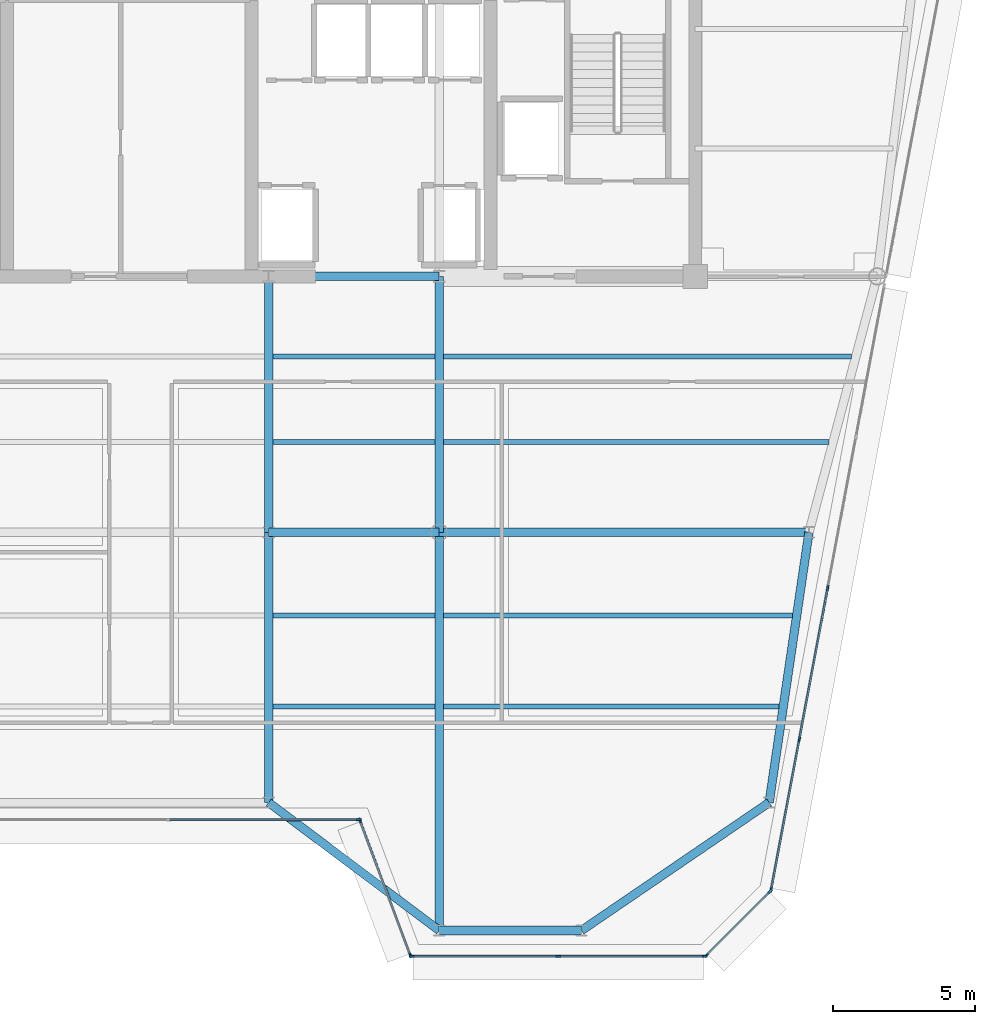
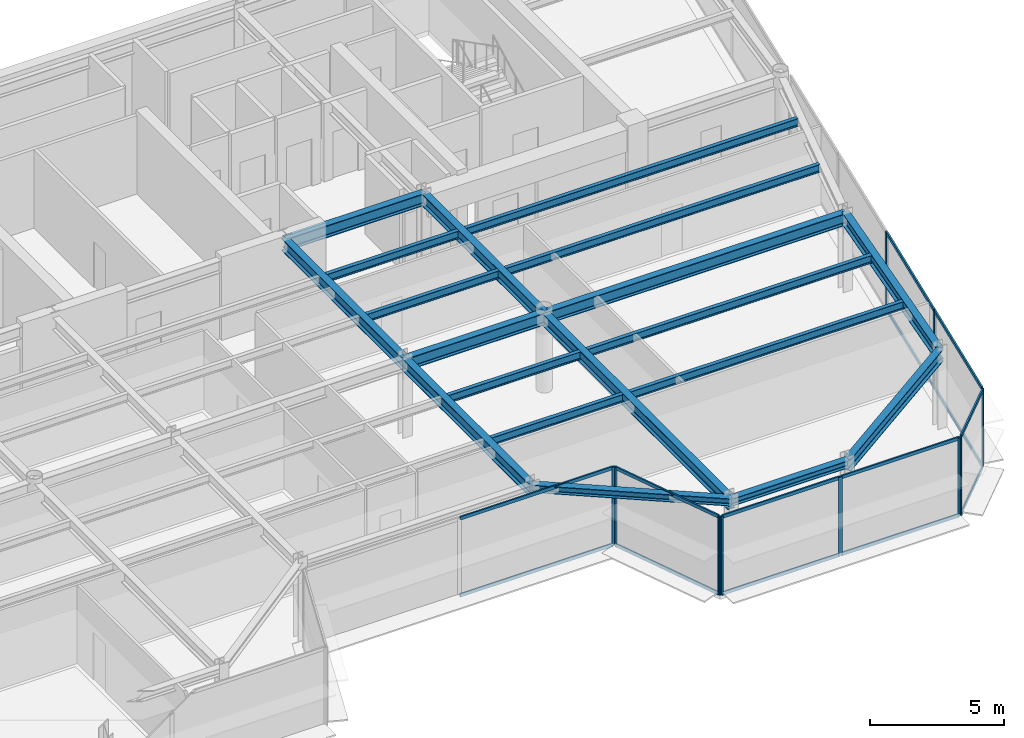
# One storey, part 6 of 19: 25 members, 19 beams, 5 elements without a shape of their own.
"""IFC4 building model written with IfcOpenShell, lengths in metres."""

from ifc_helpers import new_model, si_unit, direction, frame, origin, origin_2d, place, context, subcontext, project, spatial, rectangle, i_section, extrude, source, transform, mapped, material, layer, layer_set, material_profile, profile_set, type_object, element, aggregate, save


model = new_model("IFC4")

# Units and contexts
model_context = context("Model", 3, precision=1e-05, world=origin(), true_north=direction((0.0, 1.0)))
body_context = subcontext(model_context, "Body", "Model", "MODEL_VIEW")
ifc_project = project(units=[si_unit("LENGTHUNIT", "METRE"), si_unit("AREAUNIT", "SQUARE_METRE"), si_unit("VOLUMEUNIT", "CUBIC_METRE"), si_unit("PLANEANGLEUNIT", "RADIAN"), si_unit("MASSUNIT", "GRAM", prefix="KILO")], contexts=[model_context])

# Site, building, storey
site_placement = place(None, origin())
site = spatial("IfcSite", under=ifc_project, at=site_placement, CompositionType="ELEMENT")
building_placement = place(site_placement, origin())
building = spatial("IfcBuilding", under=site, at=building_placement, Name="Vaeldorn Concourse Tower", CompositionType="ELEMENT")
storey_placement = place(building_placement, frame((0.0, 0.0, 272.60009765625)))
storey = spatial("IfcBuildingStorey", under=building, at=storey_placement, Name="L70", CompositionType="ELEMENT", Elevation=272.60009765625)

# Beams
ifc_material_1 = material(Name="Steel S355", Category="steel")
ifc_material_profile_1 = material_profile(ifc_material_1, i_section(OverallWidth=0.300048828125, OverallDepth=0.550048828125, WebThickness=0.014892578125, FlangeThickness=0.029052734375, FilletRadius=0.027099609375, at=origin_2d()), Name="HEB 550")
ifc_profile_set_1 = profile_set([ifc_material_profile_1], Name="Steel S355")
beam_type_1 = type_object("IfcBeamType", Name="BM-PG-HEB550", PredefinedType="BEAM", material=ifc_profile_set_1)
shared_shape_1 = source(origin(), body_context, "Body", "SweptSolid", [
    extrude(i_section(OverallWidth=0.300048828125, OverallDepth=0.550048828125, WebThickness=0.014892578125, FlangeThickness=0.029052734375, FilletRadius=0.027099609375, at=origin_2d()), origin(), (0.0, 0.0, 1.0), 6.0),
])
for number, where, z_axis, x_axis, name in (
    (1, (39.0, 36.5, 3.304931640625), (1.0, 0.0, 0.0), (0.0, 1.0, 0.0), "Beam BM-L70-C-FC4-C-FC5"),
    (2, (39.0, 27.5, 3.304931640625), (1.0, 0.0, 0.0), (0.0, 1.0, 0.0), "Beam BM-L70-C-TW3-C-TW4"),
):
    element("IfcBeam", number, at=place(storey_placement, frame(where, z_axis=z_axis, x_axis=x_axis)), inside=storey, type_object=beam_type_1, Name=name, PredefinedType="BEAM", context=body_context, shape_type="MappedRepresentation", body=[
        mapped(shared_shape_1, transform((0.0, 0.0, 0.0), scale=1.0)),
    ])
shared_shape_2 = source(origin(), body_context, "Body", "SweptSolid", [
    extrude(i_section(OverallWidth=0.300048828125, OverallDepth=0.550048828125, WebThickness=0.014892578125, FlangeThickness=0.029052734375, FilletRadius=0.027099609375, at=origin_2d()), origin(), (0.0, 0.0, 1.0), 9.0),
])
for number, where, z_axis, x_axis, name in (
    (3, (39.0, 27.5, 3.304931640625), (0.0, 1.0, 0.0), (-1.0, 0.0, 0.0), "Beam BM-L70-C-TW3-C-FC4"),
    (4, (45.0, 27.5, 3.304931640625), (0.0, 1.0, 0.0), (-1.0, 0.0, 0.0), "Beam BM-L70-C-TW4-C-FC5"),
):
    element("IfcBeam", number, at=place(storey_placement, frame(where, z_axis=z_axis, x_axis=x_axis)), inside=storey, type_object=beam_type_1, Name=name, PredefinedType="BEAM", context=body_context, shape_type="MappedRepresentation", body=[
        mapped(shared_shape_2, transform((0.0, 0.0, 0.0), scale=1.0)),
    ])
shared_shape_3 = source(origin(), body_context, "Body", "SweptSolid", [
    extrude(i_section(OverallWidth=0.300048828125, OverallDepth=0.550048828125, WebThickness=0.014892578125, FlangeThickness=0.029052734375, FilletRadius=0.027099609375, at=origin_2d()), origin(), (0.0, 0.0, 1.0), 14.0),
])
beam_1_placement = place(storey_placement, frame((45.0, 13.5, 3.304931640625), z_axis=(0.0, 1.0, 0.0), x_axis=(-1.0, 0.0, 0.0)))
element("IfcBeam", 5, at=beam_1_placement, inside=storey, type_object=beam_type_1, Name="Beam BM-L70-C-SF5-C-TW4", PredefinedType="BEAM", context=body_context, shape_type="MappedRepresentation", body=[
    mapped(shared_shape_3, transform((0.0, 0.0, 0.0), scale=1.0)),
])
shared_shape_4 = source(origin(), body_context, "Body", "SweptSolid", [
    extrude(i_section(OverallWidth=0.300048828125, OverallDepth=0.550048828125, WebThickness=0.014892578125, FlangeThickness=0.029052734375, FilletRadius=0.027099609375, at=origin_2d()), origin(), (0.0, 0.0, 1.0), 13.0),
])
beam_2_placement = place(storey_placement, frame((45.0, 27.5, 3.304931640625), z_axis=(1.0, 0.0, 0.0), x_axis=(0.0, 1.0, 0.0)))
element("IfcBeam", 6, at=beam_2_placement, inside=storey, type_object=beam_type_1, Name="Beam BM-L70-C-TW4-C-FLE1", PredefinedType="BEAM", context=body_context, shape_type="MappedRepresentation", body=[
    mapped(shared_shape_4, transform((0.0, 0.0, 0.0), scale=1.0)),
])
shared_shape_5 = source(origin(), body_context, "Body", "SweptSolid", [
    extrude(i_section(OverallWidth=0.300048828125, OverallDepth=0.550048828125, WebThickness=0.014892578125, FlangeThickness=0.029052734375, FilletRadius=0.027099609375, at=origin_2d()), origin(), (0.0, 0.0, 1.0), 9.6025390625),
])
beam_3_placement = place(storey_placement, frame((58.0, 27.5, 3.304931640625), z_axis=(-0.145783835977, -0.989316467652, 0.0), x_axis=(0.989316467652, -0.145783835977, 0.0)))
element("IfcBeam", 7, at=beam_3_placement, inside=storey, type_object=beam_type_1, Name="Beam BM-L70-C-FLE1-C-FLE2", PredefinedType="BEAM", context=body_context, shape_type="MappedRepresentation", body=[
    mapped(shared_shape_5, transform((0.0, 0.0, 0.0), scale=1.0)),
])
shared_shape_6 = source(origin(), body_context, "Body", "SweptSolid", [
    extrude(i_section(OverallWidth=0.300048828125, OverallDepth=0.550048828125, WebThickness=0.014892578125, FlangeThickness=0.029052734375, FilletRadius=0.027099609375, at=origin_2d()), origin(), (0.0, 0.0, 1.0), 9.5),
])
beam_4_placement = place(storey_placement, frame((39.0, 18.0, 3.304931640625), z_axis=(0.0, 1.0, 0.0), x_axis=(-1.0, 0.0, 0.0)))
element("IfcBeam", 8, at=beam_4_placement, inside=storey, type_object=beam_type_1, Name="Beam BM-L70-C-SF4-C-TW3", PredefinedType="BEAM", context=body_context, shape_type="MappedRepresentation", body=[
    mapped(shared_shape_6, transform((0.0, 0.0, 0.0), scale=1.0)),
])
shared_shape_7 = source(origin(), body_context, "Body", "SweptSolid", [
    extrude(i_section(OverallWidth=0.300048828125, OverallDepth=0.550048828125, WebThickness=0.014892578125, FlangeThickness=0.029052734375, FilletRadius=0.027099609375, at=origin_2d()), origin(), (0.0, 0.0, 1.0), 7.98828125),
])
beam_5_placement = place(storey_placement, frame((50.0, 13.5, 3.304931640625), z_axis=(0.826231222393, 0.56333113454, 0.0), x_axis=(-0.56333113454, 0.826231222393, 0.0)))
element("IfcBeam", 9, at=beam_5_placement, inside=storey, type_object=beam_type_1, Name="Beam BM-L70-C-SF6-C-FLE2", PredefinedType="BEAM", context=body_context, shape_type="MappedRepresentation", body=[
    mapped(shared_shape_7, transform((0.0, 0.0, 0.0), scale=1.0)),
])
ifc_material_profile_2 = material_profile(ifc_material_1, i_section(OverallWidth=0.169921875, OverallDepth=0.360107421875, WebThickness=0.008056640625, FlangeThickness=0.0126953125, FilletRadius=0.01806640625, at=origin_2d()), Name="IPE 360")
ifc_profile_set_2 = profile_set([ifc_material_profile_2], Name="Steel S355")
beam_type_2 = type_object("IfcBeamType", Name="BM-JS-IPE360", PredefinedType="JOIST", material=ifc_profile_set_2)
shared_shape_8 = source(origin(), body_context, "Body", "SweptSolid", [
    extrude(i_section(OverallWidth=0.169921875, OverallDepth=0.360107421875, WebThickness=0.008056640625, FlangeThickness=0.0126953125, FilletRadius=0.01806640625, at=origin_2d()), origin(), (0.0, 0.0, 1.0), 5.7001953125),
])
for number, where, z_axis, x_axis, name in (
    (10, (39.14990234375, 21.3798828125, 3.39990234375), (1.0, 0.0, 0.0), (0.0, 1.0, 0.0), "Beam JS-L70-E2-213"),
    (11, (39.14990234375, 24.580078125, 3.39990234375), (1.0, 0.0, 0.0), (0.0, 1.0, 0.0), "Beam JS-L70-E2-245"),
    (12, (39.14990234375, 30.679931640625, 3.39990234375), (1.0, 0.0, 0.0), (0.0, 1.0, 0.0), "Beam JS-L70-E2-306"),
    (13, (39.14990234375, 33.679931640625, 3.39990234375), (1.0, 0.0, 0.0), (0.0, 1.0, 0.0), "Beam JS-L70-E2-336"),
):
    element("IfcBeam", number, at=place(storey_placement, frame(where, z_axis=z_axis, x_axis=x_axis)), inside=storey, type_object=beam_type_2, Name=name, PredefinedType="JOIST", context=body_context, shape_type="MappedRepresentation", body=[
        mapped(shared_shape_8, transform((0.0, 0.0, 0.0), scale=1.0)),
    ])
ifc_material_profile_3 = material_profile(ifc_material_1, i_section(OverallWidth=0.300048828125, OverallDepth=0.340087890625, WebThickness=0.011962890625, FlangeThickness=0.021484375, FilletRadius=0.027099609375, at=origin_2d()), Name="HEB 340")
ifc_profile_set_3 = profile_set([ifc_material_profile_3], Name="Steel S355")
beam_type_3 = type_object("IfcBeamType", Name="BM-SP-HEB340", PredefinedType="SPANDREL", material=ifc_profile_set_3)
shared_shape_9 = source(origin(), body_context, "Body", "SweptSolid", [
    extrude(i_section(OverallWidth=0.300048828125, OverallDepth=0.340087890625, WebThickness=0.011962890625, FlangeThickness=0.021484375, FilletRadius=0.027099609375, at=origin_2d()), origin(), (0.0, 0.0, 1.0), 5.0),
])
beam_6_placement = place(storey_placement, frame((45.0, 13.5, 3.409912109375), z_axis=(1.0, 0.0, 0.0), x_axis=(0.0, 1.0, 0.0)))
element("IfcBeam", 14, at=beam_6_placement, inside=storey, type_object=beam_type_3, Name="Beam BM-L70-C-SF5-C-SF6", PredefinedType="SPANDREL", context=body_context, shape_type="MappedRepresentation", body=[
    mapped(shared_shape_9, transform((0.0, 0.0, 0.0), scale=1.0)),
])
shared_shape_10 = source(origin(), body_context, "Body", "SweptSolid", [
    extrude(i_section(OverallWidth=0.300048828125, OverallDepth=0.340087890625, WebThickness=0.011962890625, FlangeThickness=0.021484375, FilletRadius=0.027099609375, at=origin_2d()), origin(), (0.0, 0.0, 1.0), 7.5),
])
beam_7_placement = place(storey_placement, frame((39.0, 18.0, 3.409912109375), z_axis=(0.8, -0.6, 0.0), x_axis=(0.6, 0.8, 0.0)))
element("IfcBeam", 15, at=beam_7_placement, inside=storey, type_object=beam_type_3, Name="Beam BM-L70-C-SF4-C-SF5", PredefinedType="SPANDREL", context=body_context, shape_type="MappedRepresentation", body=[
    mapped(shared_shape_10, transform((0.0, 0.0, 0.0), scale=1.0)),
])
shared_shape_11 = source(origin(), body_context, "Body", "SweptSolid", [
    extrude(i_section(OverallWidth=0.169921875, OverallDepth=0.360107421875, WebThickness=0.008056640625, FlangeThickness=0.0126953125, FilletRadius=0.01806640625, at=origin_2d()), origin(), (0.0, 0.0, 1.0), 11.798095703125),
])
beam_8_placement = place(storey_placement, frame((45.14990234375, 21.3798828125, 3.39990234375), z_axis=(1.0, 0.0, 0.0), x_axis=(0.0, 1.0, 0.0)))
element("IfcBeam", 16, at=beam_8_placement, inside=storey, type_object=beam_type_2, Name="Beam JS-L70-E1-213", PredefinedType="JOIST", context=body_context, shape_type="MappedRepresentation", body=[
    mapped(shared_shape_11, transform((0.0, 0.0, 0.0), scale=1.0)),
])
shared_shape_12 = source(origin(), body_context, "Body", "SweptSolid", [
    extrude(i_section(OverallWidth=0.169921875, OverallDepth=0.360107421875, WebThickness=0.008056640625, FlangeThickness=0.0126953125, FilletRadius=0.01806640625, at=origin_2d()), origin(), (0.0, 0.0, 1.0), 12.269775390625),
])
beam_9_placement = place(storey_placement, frame((45.14990234375, 24.580078125, 3.39990234375), z_axis=(1.0, 0.0, 0.0), x_axis=(0.0, 1.0, 0.0)))
element("IfcBeam", 17, at=beam_9_placement, inside=storey, type_object=beam_type_2, Name="Beam JS-L70-E1-245", PredefinedType="JOIST", context=body_context, shape_type="MappedRepresentation", body=[
    mapped(shared_shape_12, transform((0.0, 0.0, 0.0), scale=1.0)),
])
shared_shape_13 = source(origin(), body_context, "Body", "SweptSolid", [
    extrude(i_section(OverallWidth=0.169921875, OverallDepth=0.360107421875, WebThickness=0.008056640625, FlangeThickness=0.0126953125, FilletRadius=0.01806640625, at=origin_2d()), origin(), (0.0, 0.0, 1.0), 13.548095703125),
])
beam_10_placement = place(storey_placement, frame((45.14990234375, 30.679931640625, 3.39990234375), z_axis=(1.0, 0.0, 0.0), x_axis=(0.0, 1.0, 0.0)))
element("IfcBeam", 18, at=beam_10_placement, inside=storey, type_object=beam_type_2, Name="Beam JS-L70-E1-306", PredefinedType="JOIST", context=body_context, shape_type="MappedRepresentation", body=[
    mapped(shared_shape_13, transform((0.0, 0.0, 0.0), scale=1.0)),
])
shared_shape_14 = source(origin(), body_context, "Body", "SweptSolid", [
    extrude(i_section(OverallWidth=0.169921875, OverallDepth=0.360107421875, WebThickness=0.008056640625, FlangeThickness=0.0126953125, FilletRadius=0.01806640625, at=origin_2d()), origin(), (0.0, 0.0, 1.0), 14.34814453125),
])
beam_11_placement = place(storey_placement, frame((45.14990234375, 33.679931640625, 3.39990234375), z_axis=(1.0, 0.0, 0.0), x_axis=(0.0, 1.0, 0.0)))
element("IfcBeam", 19, at=beam_11_placement, inside=storey, type_object=beam_type_2, Name="Beam JS-L70-E1-336", PredefinedType="JOIST", context=body_context, shape_type="MappedRepresentation", body=[
    mapped(shared_shape_14, transform((0.0, 0.0, 0.0), scale=1.0)),
])

# Curtain wall, member
ifc_material_2 = material(Name="Anodised Bronze Aluminium", Category="aluminium")
ifc_layer = layer(ifc_material_2, 0.179931640625)
ifc_layer_set = layer_set([ifc_layer], Name="Anodised Bronze Aluminium")
curtain_wall_type = type_object("IfcCurtainWallType", Name="CW-SYS-05", PredefinedType="NOTDEFINED", material=ifc_layer_set)
curtain_wall_1_placement = place(storey_placement, origin())
curtain_wall_1 = element("IfcCurtainWall", 20, at=curtain_wall_1_placement, inside=storey, type_object=curtain_wall_type, Name="Unitised Curtain Wall CW-L70-E03-1", PredefinedType="NOTDEFINED")
ifc_material_profile_4 = material_profile(ifc_material_2, rectangle(XDim=0.06494140625, YDim=0.169921875, at=origin_2d()), Name="CWM 65x170")
ifc_profile_set_4 = profile_set([ifc_material_profile_4], Name="Anodised Bronze Aluminium")
member_type_1 = type_object("IfcMemberType", Name="CWM-BRONZE-170", PredefinedType="MULLION", material=ifc_profile_set_4)
shared_shape_15 = source(origin(), body_context, "Body", "SweptSolid", [
    extrude(rectangle(XDim=0.06494140625, YDim=0.169921875, at=origin_2d()), origin(), (0.0, 0.0, 1.0), 3.579833984375),
])
member_1_placement = place(storey_placement, frame((42.16748046875, 17.39990234375, 0.0), z_axis=(0.0, 0.0, 1.0), x_axis=(0.0, 1.0, 0.0)))
member_1 = element("IfcMember", 21, at=member_1_placement, type_object=member_type_1, Name="CW-05 mullion 3", PredefinedType="MULLION", context=body_context, shape_type="MappedRepresentation", body=[
    mapped(shared_shape_15, transform((0.0, 0.0, 0.0), scale=1.0)),
])

# Curtain wall, members
curtain_wall_2_placement = place(storey_placement, origin())
curtain_wall_2 = element("IfcCurtainWall", 22, at=curtain_wall_2_placement, inside=storey, type_object=curtain_wall_type, Name="Unitised Curtain Wall CW-L70-E04-1", PredefinedType="NOTDEFINED")
member_2_placement = place(storey_placement, frame((42.21142578125, 17.36962890625, 0.0), z_axis=(0.0, 0.0, 1.0), x_axis=(0.936329177566, 0.351123441595, 0.0)))
member_2 = element("IfcMember", 23, at=member_2_placement, type_object=member_type_1, Name="CW-05 mullion 1", PredefinedType="MULLION", context=body_context, shape_type="MappedRepresentation", body=[
    mapped(shared_shape_15, transform((0.0, 0.0, 0.0), scale=1.0)),
])
member_3_placement = place(storey_placement, frame((43.988525390625, 12.63037109375, 0.0), z_axis=(0.0, 0.0, 1.0), x_axis=(0.936329177566, 0.351123441595, 0.0)))
member_3 = element("IfcMember", 24, at=member_3_placement, type_object=member_type_1, Name="CW-05 mullion 2", PredefinedType="MULLION", context=body_context, shape_type="MappedRepresentation", body=[
    mapped(shared_shape_15, transform((0.0, 0.0, 0.0), scale=1.0)),
])

curtain_wall_3_placement = place(storey_placement, origin())
curtain_wall_3 = element("IfcCurtainWall", 25, at=curtain_wall_3_placement, inside=storey, type_object=curtain_wall_type, Name="Unitised Curtain Wall CW-L70-E05-1", PredefinedType="NOTDEFINED")
member_4_placement = place(storey_placement, frame((44.032470703125, 12.60009765625, 0.0), z_axis=(0.0, 0.0, 1.0), x_axis=(0.0, 1.0, 0.0)))
member_4 = element("IfcMember", 26, at=member_4_placement, type_object=member_type_1, Name="CW-05 mullion 1", PredefinedType="MULLION", context=body_context, shape_type="MappedRepresentation", body=[
    mapped(shared_shape_15, transform((0.0, 0.0, 0.0), scale=1.0)),
])
member_5_placement = place(storey_placement, frame((49.181884765625, 12.60009765625, 0.0), z_axis=(0.0, 0.0, 1.0), x_axis=(0.0, 1.0, 0.0)))
member_5 = element("IfcMember", 27, at=member_5_placement, type_object=member_type_1, Name="CW-05 mullion 2", PredefinedType="MULLION", context=body_context, shape_type="MappedRepresentation", body=[
    mapped(shared_shape_15, transform((0.0, 0.0, 0.0), scale=1.0)),
])
member_6_placement = place(storey_placement, frame((54.33154296875, 12.60009765625, 0.0), z_axis=(0.0, 0.0, 1.0), x_axis=(0.0, 1.0, 0.0)))
member_6 = element("IfcMember", 28, at=member_6_placement, type_object=member_type_1, Name="CW-05 mullion 3", PredefinedType="MULLION", context=body_context, shape_type="MappedRepresentation", body=[
    mapped(shared_shape_15, transform((0.0, 0.0, 0.0), scale=1.0)),
])

curtain_wall_4_placement = place(storey_placement, origin())
curtain_wall_4 = element("IfcCurtainWall", 29, at=curtain_wall_4_placement, inside=storey, type_object=curtain_wall_type, Name="Unitised Curtain Wall CW-L70-E06-1", PredefinedType="NOTDEFINED")
member_7_placement = place(storey_placement, frame((54.386962890625, 12.623046875, 0.0), z_axis=(0.0, 0.0, 1.0), x_axis=(-0.707106781187, 0.707106781187, 0.0)))
member_7 = element("IfcMember", 30, at=member_7_placement, type_object=member_type_1, Name="CW-05 mullion 1", PredefinedType="MULLION", context=body_context, shape_type="MappedRepresentation", body=[
    mapped(shared_shape_15, transform((0.0, 0.0, 0.0), scale=1.0)),
])
member_8_placement = place(storey_placement, frame((56.64111328125, 14.876953125, 0.0), z_axis=(0.0, 0.0, 1.0), x_axis=(-0.707106781187, 0.707106781187, 0.0)))
member_8 = element("IfcMember", 31, at=member_8_placement, type_object=member_type_1, Name="CW-05 mullion 2", PredefinedType="MULLION", context=body_context, shape_type="MappedRepresentation", body=[
    mapped(shared_shape_15, transform((0.0, 0.0, 0.0), scale=1.0)),
])

curtain_wall_5_placement = place(storey_placement, origin())
curtain_wall_5 = element("IfcCurtainWall", 32, at=curtain_wall_5_placement, inside=storey, type_object=curtain_wall_type, Name="Unitised Curtain Wall CW-L70-E07-1", PredefinedType="NOTDEFINED")
member_9_placement = place(storey_placement, frame((56.669921875, 14.931884765625, 0.0), z_axis=(0.0, 0.0, 1.0), x_axis=(-0.982880027444, 0.184246714088, 0.0)))
member_9 = element("IfcMember", 33, at=member_9_placement, type_object=member_type_1, Name="CW-05 mullion 1", PredefinedType="MULLION", context=body_context, shape_type="MappedRepresentation", body=[
    mapped(shared_shape_15, transform((0.0, 0.0, 0.0), scale=1.0)),
])
member_10_placement = place(storey_placement, frame((57.66162109375, 20.22119140625, 0.0), z_axis=(0.0, 0.0, 1.0), x_axis=(-0.982880027444, 0.184246714088, 0.0)))
member_10 = element("IfcMember", 34, at=member_10_placement, type_object=member_type_1, Name="CW-05 mullion 2", PredefinedType="MULLION", context=body_context, shape_type="MappedRepresentation", body=[
    mapped(shared_shape_15, transform((0.0, 0.0, 0.0), scale=1.0)),
])
member_11_placement = place(storey_placement, frame((58.658935546875, 25.54248046875, 0.0), z_axis=(0.0, 0.0, 1.0), x_axis=(-0.982880027444, 0.184246714088, 0.0)))
member_11 = element("IfcMember", 35, at=member_11_placement, type_object=member_type_1, Name="CW-05 mullion 3", PredefinedType="MULLION", context=body_context, shape_type="MappedRepresentation", body=[
    mapped(shared_shape_15, transform((0.0, 0.0, 0.0), scale=1.0)),
])

# Member
ifc_material_profile_5 = material_profile(ifc_material_2, rectangle(XDim=0.06494140625, YDim=0.14990234375, at=origin_2d()), Name="CWT 65x150")
ifc_profile_set_5 = profile_set([ifc_material_profile_5], Name="Anodised Bronze Aluminium")
member_type_2 = type_object("IfcMemberType", Name="CWT-BRONZE-150", PredefinedType="USERDEFINED", material=ifc_profile_set_5)
shared_shape_16 = source(origin(), body_context, "Body", "SweptSolid", [
    extrude(rectangle(XDim=0.06494140625, YDim=0.14990234375, at=origin_2d()), origin(), (0.0, 0.0, 1.0), 4.996337890625),
])
member_12_placement = place(storey_placement, frame((42.222900390625, 17.339111328125, 0.032470703125), z_axis=(0.351134151405, -0.936325161318, 0.0), x_axis=(0.936325161318, 0.351134151405, 0.0)))
member_12 = element("IfcMember", 36, at=member_12_placement, type_object=member_type_2, Name="CW-05 transom 1.1", ObjectType="TRANSOM", PredefinedType="USERDEFINED", context=body_context, shape_type="MappedRepresentation", body=[
    mapped(shared_shape_16, transform((0.0, 0.0, 0.0), scale=1.0)),
])

member_13_placement = place(storey_placement, frame((42.222900390625, 17.339111328125, 3.54736328125), z_axis=(0.351134151405, -0.936325161318, 0.0), x_axis=(0.936325161318, 0.351134151405, 0.0)))
member_13 = element("IfcMember", 37, at=member_13_placement, type_object=member_type_2, Name="CW-05 transom 1.2", ObjectType="TRANSOM", PredefinedType="USERDEFINED", context=body_context, shape_type="MappedRepresentation", body=[
    mapped(shared_shape_16, transform((0.0, 0.0, 0.0), scale=1.0)),
])

aggregate(curtain_wall_2, [member_2, member_3, member_12, member_13])

shared_shape_17 = source(origin(), body_context, "Body", "SweptSolid", [
    extrude(rectangle(XDim=0.06494140625, YDim=0.14990234375, at=origin_2d()), origin(), (0.0, 0.0, 1.0), 6.6025390625),
])
member_14_placement = place(storey_placement, frame((35.532470703125, 17.39990234375, 0.032470703125), z_axis=(1.0, 0.0, 0.0), x_axis=(0.0, 1.0, 0.0)))
member_14 = element("IfcMember", 38, at=member_14_placement, type_object=member_type_2, Name="CW-05 transom 2.1", ObjectType="TRANSOM", PredefinedType="USERDEFINED", context=body_context, shape_type="MappedRepresentation", body=[
    mapped(shared_shape_17, transform((0.0, 0.0, 0.0), scale=1.0)),
])

member_15_placement = place(storey_placement, frame((35.532470703125, 17.39990234375, 3.54736328125), z_axis=(1.0, 0.0, 0.0), x_axis=(0.0, 1.0, 0.0)))
member_15 = element("IfcMember", 39, at=member_15_placement, type_object=member_type_2, Name="CW-05 transom 2.2", ObjectType="TRANSOM", PredefinedType="USERDEFINED", context=body_context, shape_type="MappedRepresentation", body=[
    mapped(shared_shape_17, transform((0.0, 0.0, 0.0), scale=1.0)),
])

aggregate(curtain_wall_1, [member_1, member_14, member_15])

shared_shape_18 = source(origin(), body_context, "Body", "SweptSolid", [
    extrude(rectangle(XDim=0.06494140625, YDim=0.14990234375, at=origin_2d()), origin(), (0.0, 0.0, 1.0), 3.12255859375),
])
member_16_placement = place(storey_placement, frame((54.409912109375, 12.64599609375, 0.032470703125), z_axis=(0.707106781187, 0.707106781187, 0.0), x_axis=(-0.707106781187, 0.707106781187, 0.0)))
member_16 = element("IfcMember", 40, at=member_16_placement, type_object=member_type_2, Name="CW-05 transom 1.1", ObjectType="TRANSOM", PredefinedType="USERDEFINED", context=body_context, shape_type="MappedRepresentation", body=[
    mapped(shared_shape_18, transform((0.0, 0.0, 0.0), scale=1.0)),
])

member_17_placement = place(storey_placement, frame((54.409912109375, 12.64599609375, 3.54736328125), z_axis=(0.707106781187, 0.707106781187, 0.0), x_axis=(-0.707106781187, 0.707106781187, 0.0)))
member_17 = element("IfcMember", 41, at=member_17_placement, type_object=member_type_2, Name="CW-05 transom 1.2", ObjectType="TRANSOM", PredefinedType="USERDEFINED", context=body_context, shape_type="MappedRepresentation", body=[
    mapped(shared_shape_18, transform((0.0, 0.0, 0.0), scale=1.0)),
])

aggregate(curtain_wall_4, [member_7, member_8, member_16, member_17])

shared_shape_19 = source(origin(), body_context, "Body", "SweptSolid", [
    extrude(rectangle(XDim=0.06494140625, YDim=0.14990234375, at=origin_2d()), origin(), (0.0, 0.0, 1.0), 5.31640625),
])
member_18_placement = place(storey_placement, frame((56.676025390625, 14.9638671875, 0.032470703125), z_axis=(0.184241399207, 0.982881023735, 0.0), x_axis=(-0.982881023735, 0.184241399207, 0.0)))
member_18 = element("IfcMember", 42, at=member_18_placement, type_object=member_type_2, Name="CW-05 transom 1.1", ObjectType="TRANSOM", PredefinedType="USERDEFINED", context=body_context, shape_type="MappedRepresentation", body=[
    mapped(shared_shape_19, transform((0.0, 0.0, 0.0), scale=1.0)),
])

member_19_placement = place(storey_placement, frame((56.676025390625, 14.9638671875, 3.54736328125), z_axis=(0.184241399207, 0.982881023735, 0.0), x_axis=(-0.982881023735, 0.184241399207, 0.0)))
member_19 = element("IfcMember", 43, at=member_19_placement, type_object=member_type_2, Name="CW-05 transom 1.2", ObjectType="TRANSOM", PredefinedType="USERDEFINED", context=body_context, shape_type="MappedRepresentation", body=[
    mapped(shared_shape_19, transform((0.0, 0.0, 0.0), scale=1.0)),
])

shared_shape_20 = source(origin(), body_context, "Body", "SweptSolid", [
    extrude(rectangle(XDim=0.06494140625, YDim=0.14990234375, at=origin_2d()), origin(), (0.0, 0.0, 1.0), 5.348876953125),
])
member_20_placement = place(storey_placement, frame((57.66748046875, 20.253173828125, 0.032470703125), z_axis=(0.184260976912, 0.982877353685, 0.0), x_axis=(-0.982877353685, 0.184260976912, 0.0)))
member_20 = element("IfcMember", 44, at=member_20_placement, type_object=member_type_2, Name="CW-05 transom 2.1", ObjectType="TRANSOM", PredefinedType="USERDEFINED", context=body_context, shape_type="MappedRepresentation", body=[
    mapped(shared_shape_20, transform((0.0, 0.0, 0.0), scale=1.0)),
])

member_21_placement = place(storey_placement, frame((57.66748046875, 20.253173828125, 3.54736328125), z_axis=(0.184260976912, 0.982877353685, 0.0), x_axis=(-0.982877353685, 0.184260976912, 0.0)))
member_21 = element("IfcMember", 45, at=member_21_placement, type_object=member_type_2, Name="CW-05 transom 2.2", ObjectType="TRANSOM", PredefinedType="USERDEFINED", context=body_context, shape_type="MappedRepresentation", body=[
    mapped(shared_shape_20, transform((0.0, 0.0, 0.0), scale=1.0)),
])

aggregate(curtain_wall_5, [member_9, member_10, member_11, member_18, member_19, member_20, member_21])

shared_shape_21 = source(origin(), body_context, "Body", "SweptSolid", [
    extrude(rectangle(XDim=0.06494140625, YDim=0.14990234375, at=origin_2d()), origin(), (0.0, 0.0, 1.0), 5.08447265625),
])
member_22_placement = place(storey_placement, frame((44.06494140625, 12.60009765625, 0.032470703125), z_axis=(1.0, 0.0, 0.0), x_axis=(0.0, 1.0, 0.0)))
member_22 = element("IfcMember", 46, at=member_22_placement, type_object=member_type_2, Name="CW-05 transom 1.1", ObjectType="TRANSOM", PredefinedType="USERDEFINED", context=body_context, shape_type="MappedRepresentation", body=[
    mapped(shared_shape_21, transform((0.0, 0.0, 0.0), scale=1.0)),
])

member_23_placement = place(storey_placement, frame((44.06494140625, 12.60009765625, 3.54736328125), z_axis=(1.0, 0.0, 0.0), x_axis=(0.0, 1.0, 0.0)))
member_23 = element("IfcMember", 47, at=member_23_placement, type_object=member_type_2, Name="CW-05 transom 1.2", ObjectType="TRANSOM", PredefinedType="USERDEFINED", context=body_context, shape_type="MappedRepresentation", body=[
    mapped(shared_shape_21, transform((0.0, 0.0, 0.0), scale=1.0)),
])

member_24_placement = place(storey_placement, frame((49.214599609375, 12.60009765625, 0.032470703125), z_axis=(1.0, 0.0, 0.0), x_axis=(0.0, 1.0, 0.0)))
member_24 = element("IfcMember", 48, at=member_24_placement, type_object=member_type_2, Name="CW-05 transom 2.1", ObjectType="TRANSOM", PredefinedType="USERDEFINED", context=body_context, shape_type="MappedRepresentation", body=[
    mapped(shared_shape_21, transform((0.0, 0.0, 0.0), scale=1.0)),
])

member_25_placement = place(storey_placement, frame((49.214599609375, 12.60009765625, 3.54736328125), z_axis=(1.0, 0.0, 0.0), x_axis=(0.0, 1.0, 0.0)))
member_25 = element("IfcMember", 49, at=member_25_placement, type_object=member_type_2, Name="CW-05 transom 2.2", ObjectType="TRANSOM", PredefinedType="USERDEFINED", context=body_context, shape_type="MappedRepresentation", body=[
    mapped(shared_shape_21, transform((0.0, 0.0, 0.0), scale=1.0)),
])

aggregate(curtain_wall_3, [member_4, member_5, member_6, member_22, member_23, member_24, member_25])

save(model, "model.ifc")
